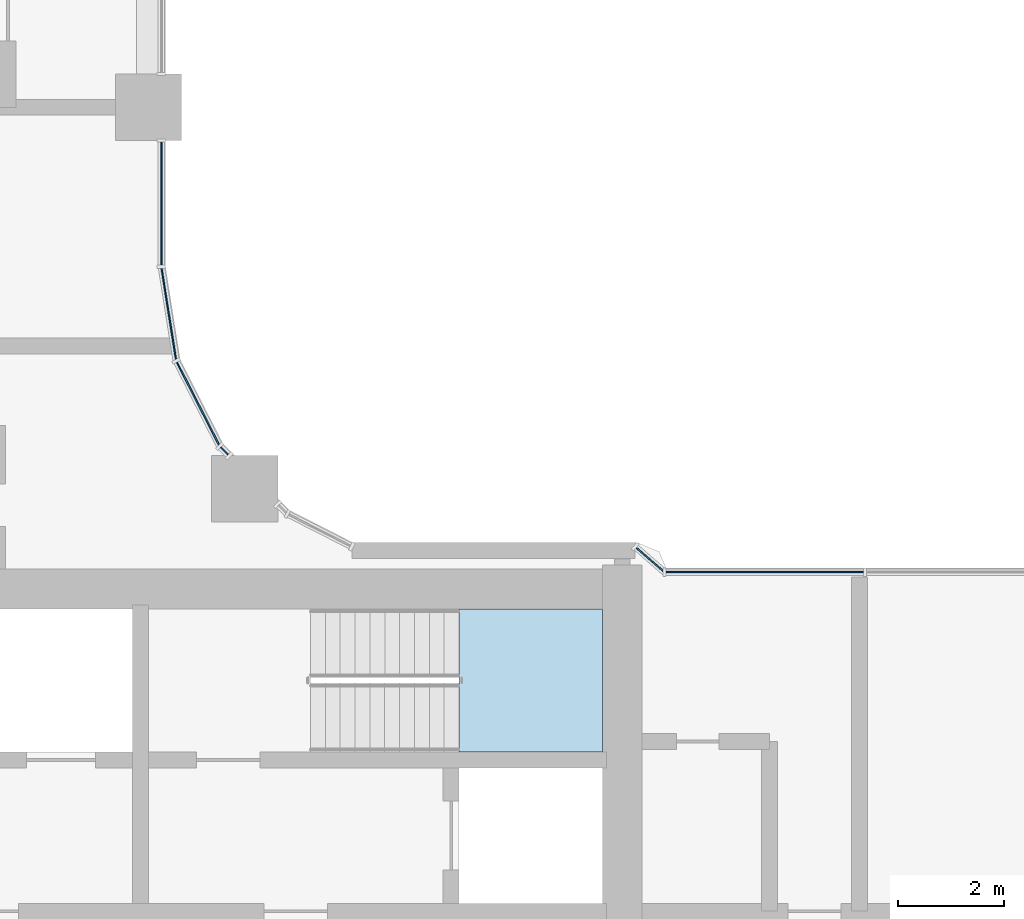
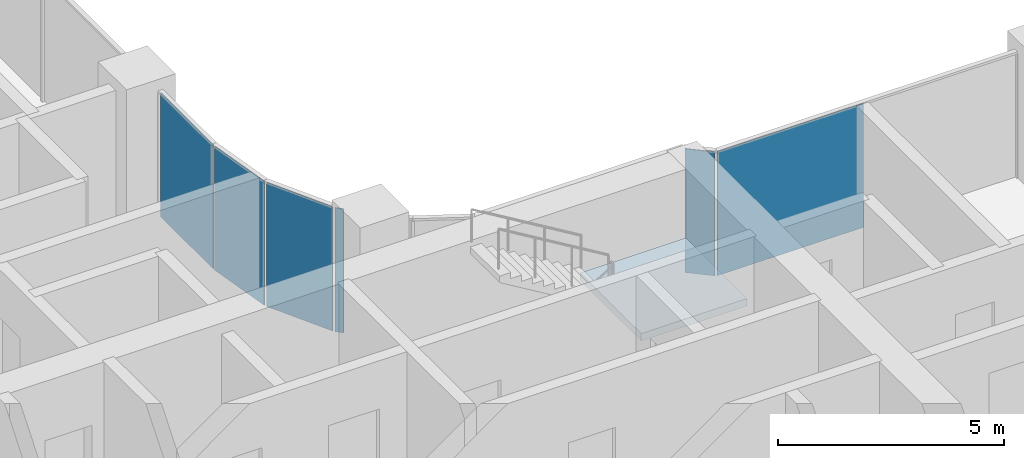
# One storey, part 13 of 33: 6 plates, 1 slab, 5 elements without a shape of their own.
"""IFC4 building model written with IfcOpenShell, lengths in metres."""

from ifc_helpers import new_model, si_unit, direction, frame, origin, origin_2d, place, context, subcontext, project, spatial, polyline, rectangle, outline, extrude, material, layer, layer_set, type_object, element, aggregate, save


model = new_model("IFC4")

# Units and contexts
model_context = context("Model", 3, precision=1e-05, world=origin(), true_north=direction((0.0, 1.0)))
body_context = subcontext(model_context, "Body", "Model", "MODEL_VIEW")
ifc_project = project(units=[si_unit("LENGTHUNIT", "METRE"), si_unit("AREAUNIT", "SQUARE_METRE"), si_unit("VOLUMEUNIT", "CUBIC_METRE"), si_unit("PLANEANGLEUNIT", "RADIAN"), si_unit("MASSUNIT", "GRAM", prefix="KILO")], contexts=[model_context])

# Site, building, storey
site_placement = place(None, origin())
site = spatial("IfcSite", under=ifc_project, at=site_placement, CompositionType="ELEMENT")
building_placement = place(site_placement, origin())
building = spatial("IfcBuilding", under=site, at=building_placement, Name="Ogive Portal Towers", CompositionType="ELEMENT")
storey_placement = place(building_placement, frame((0.0, 0.0, 101.89990234375)))
storey = spatial("IfcBuildingStorey", under=building, at=storey_placement, Name="L24", CompositionType="ELEMENT", Elevation=101.89990234375)

# Curtain wall, plate
ifc_material_1 = material(Name="Glass, clear low-iron insulated glazing", Category="glass")
curtain_wall_type = type_object("IfcCurtainWallType", Name="CW FRONT RIBBON 4500", PredefinedType="NOTDEFINED", material=ifc_material_1)
curtain_wall_1_placement = place(storey_placement, origin())
curtain_wall_1 = element("IfcCurtainWall", 1, at=curtain_wall_1_placement, inside=storey, type_object=curtain_wall_type, Name="A:L24:f06:cw0~0", PredefinedType="NOTDEFINED")
ifc_layer_1 = layer(ifc_material_1, 0.028076171875)
ifc_layer_set_1 = layer_set([ifc_layer_1], Name="CW PANEL IGU 28")
plate_type = type_object("IfcPlateType", Name="CW PANEL IGU 28", PredefinedType="CURTAIN_PANEL", material=ifc_layer_set_1)
plate_1_placement = place(storey_placement, frame((49.739990234375, 46.684326171875, 0.0), z_axis=(0.0, 0.0, 1.0), x_axis=(0.0, 1.0, 0.0)))
plate_1 = element("IfcPlate", 2, at=plate_1_placement, type_object=plate_type, Name="panel", PredefinedType="CURTAIN_PANEL", context=body_context, shape_type="SweptSolid", body=[
    extrude(rectangle(XDim=2.3212890625, YDim=0.028076171875, at=origin_2d()), origin(), (0.0, 0.0, 1.0), 3.340087890625),
])
aggregate(curtain_wall_1, [plate_1])

curtain_wall_2_placement = place(storey_placement, origin())
curtain_wall_2 = element("IfcCurtainWall", 3, at=curtain_wall_2_placement, inside=storey, type_object=curtain_wall_type, Name="A:L24:f26:cw0~3", PredefinedType="NOTDEFINED")
plate_2_placement = place(storey_placement, frame((61.110107421875, 39.739990234375, 0.0), z_axis=(0.0, 0.0, 1.0), x_axis=(-1.0, 0.0, 0.0)))
plate_2 = element("IfcPlate", 4, at=plate_2_placement, type_object=plate_type, Name="panel", PredefinedType="CURTAIN_PANEL", context=body_context, shape_type="SweptSolid", body=[
    extrude(rectangle(XDim=3.7197265625, YDim=0.028076171875, at=origin_2d()), origin(), (0.0, 0.0, 1.0), 3.340087890625),
])
aggregate(curtain_wall_2, [plate_2])

curtain_wall_3_placement = place(storey_placement, origin())
curtain_wall_3 = element("IfcCurtainWall", 5, at=curtain_wall_3_placement, inside=storey, type_object=curtain_wall_type, Name="A:L24:f00:cwa", PredefinedType="NOTDEFINED")
plate_3_placement = place(storey_placement, frame((58.945068359375, 39.97998046875, 0.0), z_axis=(0.0, 0.0, 1.0), x_axis=(-0.753598923768, 0.657334513087, 0.0)))
plate_3 = element("IfcPlate", 6, at=plate_3_placement, type_object=plate_type, Name="panel", PredefinedType="CURTAIN_PANEL", context=body_context, shape_type="SweptSolid", body=[
    extrude(rectangle(XDim=0.670166015625, YDim=0.028076171875, at=origin_2d()), origin(), (0.0, 0.0, 1.0), 3.340087890625),
])
aggregate(curtain_wall_3, [plate_3])

# Curtain wall, plates
curtain_wall_4_placement = place(storey_placement, origin())
curtain_wall_4 = element("IfcCurtainWall", 7, at=curtain_wall_4_placement, inside=storey, type_object=curtain_wall_type, Name="A:L24:f02:cwa~1", PredefinedType="NOTDEFINED")
plate_4_placement = place(storey_placement, frame((50.9287109375, 42.0244140625, 0.0), z_axis=(0.0, 0.0, 1.0), x_axis=(-0.707106781187, 0.707106781187, 0.0)))
plate_4 = element("IfcPlate", 8, at=plate_4_placement, type_object=plate_type, Name="panel", PredefinedType="CURTAIN_PANEL", context=body_context, shape_type="SweptSolid", body=[
    extrude(rectangle(XDim=0.19287109375, YDim=0.028076171875, at=origin_2d()), origin(), (0.0, 0.0, 1.0), 3.340087890625),
])
plate_5_placement = place(storey_placement, frame((50.43017578125, 42.916748046875, 0.0), z_axis=(0.0, 0.0, 1.0), x_axis=(-0.45399049974, 0.891006524188, 0.0)))
plate_5 = element("IfcPlate", 9, at=plate_5_placement, type_object=plate_type, Name="panel", PredefinedType="CURTAIN_PANEL", context=body_context, shape_type="SweptSolid", body=[
    extrude(rectangle(XDim=1.742431640625, YDim=0.028076171875, at=origin_2d()), origin(), (0.0, 0.0, 1.0), 3.340087890625),
])
plate_6_placement = place(storey_placement, frame((49.88037109375, 44.606689453125, 0.0), z_axis=(0.0, 0.0, 1.0), x_axis=(-0.15643446504, 0.987688340595, 0.0)))
plate_6 = element("IfcPlate", 10, at=plate_6_placement, type_object=plate_type, Name="panel", PredefinedType="CURTAIN_PANEL", context=body_context, shape_type="SweptSolid", body=[
    extrude(rectangle(XDim=1.736083984375, YDim=0.028076171875, at=origin_2d()), origin(), (0.0, 0.0, 1.0), 3.340087890625),
])
aggregate(curtain_wall_4, [plate_4, plate_5, plate_6])

# Stair, slab
ifc_material_2 = material(Name="Concrete C40/50", Category="concrete")
stair_type = type_object("IfcStairType", Name="INT-STAIR", PredefinedType="HALF_TURN_STAIR", material=ifc_material_2)
stair_placement = place(storey_placement, origin())
stair = element("IfcStair", 11, at=stair_placement, inside=storey, type_object=stair_type, Name="L24 Exit Stair ST-A2", PredefinedType="HALF_TURN_STAIR")
ifc_layer_2 = layer(ifc_material_2, 0.199951171875)
ifc_layer_set_2 = layer_set([ifc_layer_2], Name="INT-LANDING")
slab_type = type_object("IfcSlabType", Name="INT-LANDING", PredefinedType="LANDING", material=ifc_layer_set_2)
slab_placement = place(storey_placement, frame((0.0, 0.0, 1.650146484375)))
slab = element("IfcSlab", 12, at=slab_placement, type_object=slab_type, Name="ST-A2 landing 1", PredefinedType="LANDING", context=body_context, shape_type="SweptSolid", body=[
    extrude(outline(polyline([(55.35009765625, 36.35009765625), (58.050048828125, 36.35009765625), (58.050048828125, 39.050048828125), (55.35009765625, 39.050048828125), (55.35009765625, 36.35009765625)])), origin(), (0.0, 0.0, 1.0), 0.199951171875),
])
aggregate(stair, [slab])

save(model, "model.ifc")
